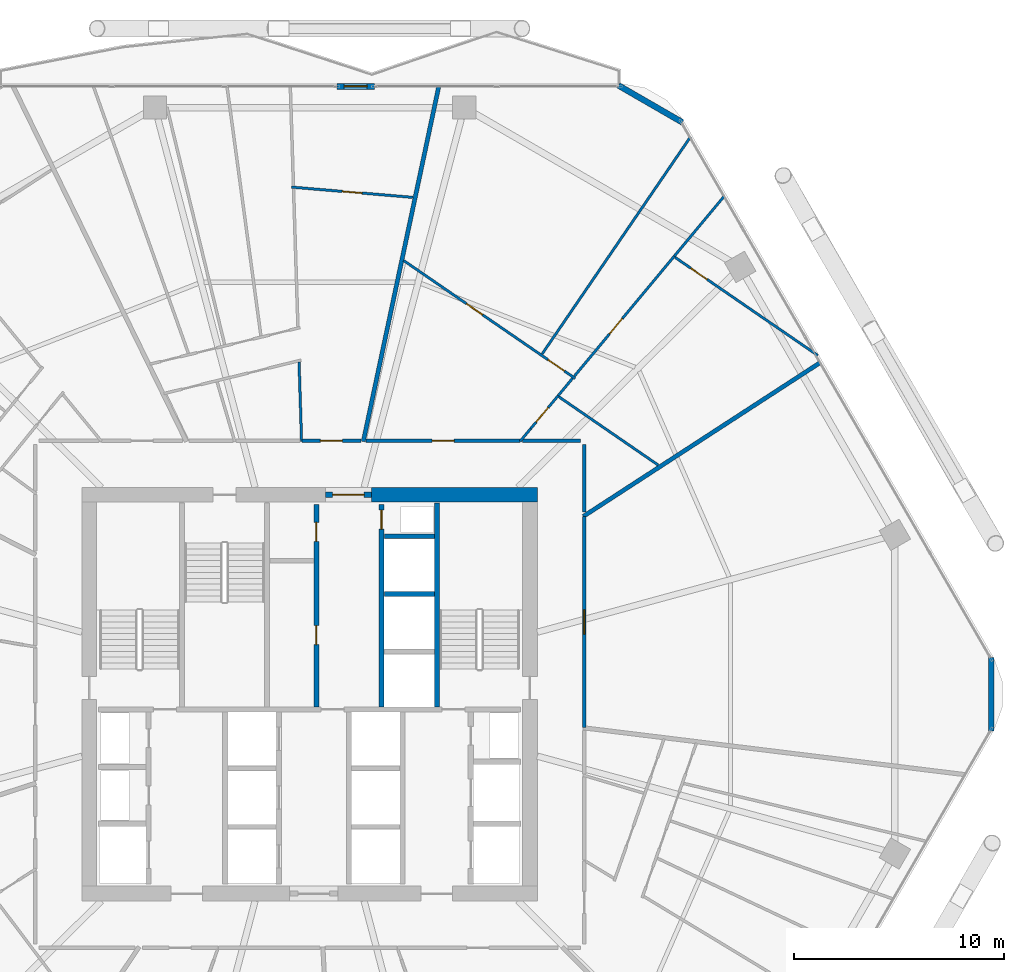
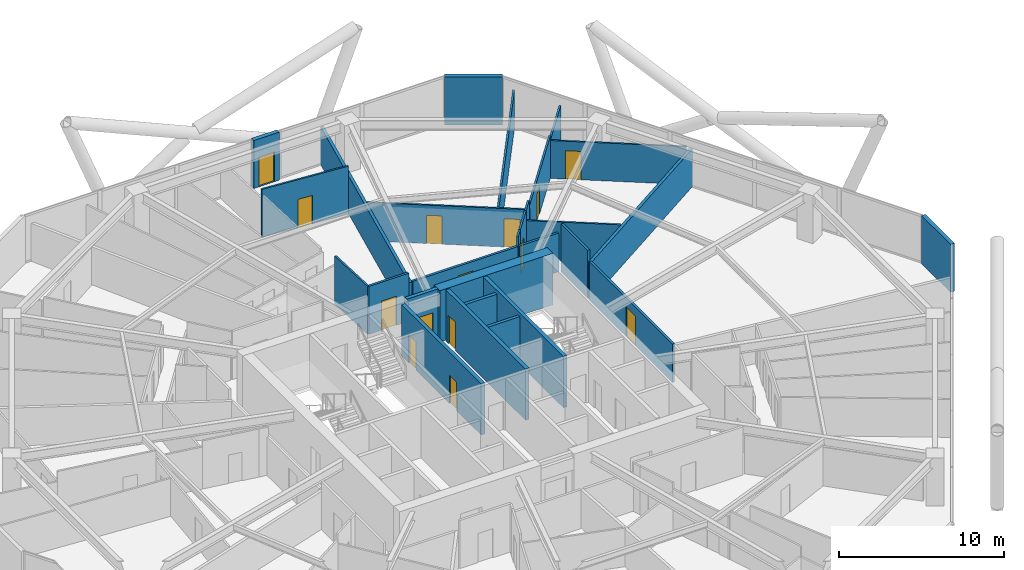
# One storey, part 31 of 35: 28 walls, 14 doors, 14 openings.
"""IFC4 building model written with IfcOpenShell, lengths in metres."""

from ifc_helpers import new_model, si_unit, direction, frame, frame_2d, origin, place, context, subcontext, project, spatial, rectangle, extrude, material, layer, layer_set, type_object, element, fill, save


model = new_model("IFC4")

# Units and contexts
model_context = context("Model", 3, precision=1e-05, world=origin(), true_north=direction((0.0, 1.0)))
body_context = subcontext(model_context, "Body", "Model", "MODEL_VIEW")
ifc_project = project(units=[si_unit("LENGTHUNIT", "METRE"), si_unit("AREAUNIT", "SQUARE_METRE"), si_unit("VOLUMEUNIT", "CUBIC_METRE"), si_unit("PLANEANGLEUNIT", "RADIAN"), si_unit("MASSUNIT", "GRAM", prefix="KILO")], contexts=[model_context])

# Site, building, storey
site_placement = place(None, origin())
site = spatial("IfcSite", under=ifc_project, at=site_placement, CompositionType="ELEMENT")
building_placement = place(site_placement, origin())
building = spatial("IfcBuilding", under=site, at=building_placement, Name="Zuhravey Tower", CompositionType="ELEMENT")
storey_placement = place(building_placement, frame((0.0, 0.0, 115.199951171875)))
storey = spatial("IfcBuildingStorey", under=building, at=storey_placement, Name="L28", CompositionType="ELEMENT", Elevation=115.199951171875)

# Wall
ifc_material_1 = material(Name="Concrete C60/75", Category="concrete")
ifc_layer_1 = layer(ifc_material_1, 0.699951171875)
ifc_layer_set_1 = layer_set([ifc_layer_1], Name="Concrete C60/75")
wall_type_1 = type_object("IfcWallType", Name="Core Shear Wall 700", PredefinedType="SHEAR", material=ifc_layer_set_1)
wall_1_placement = place(storey_placement, frame((46.85009765625, 41.5, 0.0), z_axis=(0.0, 0.0, 1.0), x_axis=(-1.0, 0.0, 0.0)))
element("IfcWall", 1, at=wall_1_placement, inside=storey, type_object=wall_type_1, Name="L28 North-East Core Shear Wall CW70", PredefinedType="SHEAR", context=body_context, shape_type="SweptSolid", body=[
    extrude(rectangle(XDim=7.900146484375, YDim=0.699951171875, at=frame_2d((3.9501953125, 0.0))), origin(), (0.0, 0.0, 1.0), 3.800048828125),
])

# Wall, opening, door
ifc_material_2 = material(Name="Gypsum fire-rated stud partition")
ifc_layer_2 = layer(ifc_material_2, 0.159912109375)
ifc_layer_set_2 = layer_set([ifc_layer_2], Name="Gypsum fire-rated stud partition")
wall_type_2 = type_object("IfcWallType", Name="Corridor Fire Partition 160", PredefinedType="PARTITIONING", material=ifc_layer_set_2)
wall_2_placement = place(storey_placement, frame((46.031494140625, 44.080078125, 0.0), z_axis=(0.0, 0.0, 1.0), x_axis=(-1.0, 0.0, 0.0)))
wall_2 = element("IfcWall", 2, at=wall_2_placement, inside=storey, type_object=wall_type_2, Name="L28 IW16 Partition 024", PredefinedType="PARTITIONING", context=body_context, shape_type="SweptSolid", body=[
    extrude(rectangle(XDim=7.3330078125, YDim=0.159912109375, at=frame_2d((3.66650390625, 0.0))), origin(), (0.0, 0.0, 1.0), 2.85009765625),
])
opening_1_placement = place(wall_2_placement, frame((3.1416015625, 0.0, 0.0)))
opening_1 = element("IfcOpeningElement", 3, at=opening_1_placement, cuts=wall_2, Name="Opening APD1", PredefinedType="OPENING", context=body_context, shape_type="SweptSolid", body=[
    extrude(rectangle(XDim=1.050048828125, YDim=2.14990234375, at=frame_2d((0.52490234375, 1.074951171875))), frame((0.0, 0.092041015625, 0.0), z_axis=(0.0, -1.0, 0.0), x_axis=(1.0, 0.0, 0.0)), (0.0, 0.0, 1.0), 0.183837890625),
])
ifc_material_3 = material(Name="Solid-core oak fire-rated leaf")
door_type_1 = type_object("IfcDoorType", Name="Apartment Entrance Fire Door 1050x2150", OperationType="NOTDEFINED", PredefinedType="DOOR", material=ifc_material_3)
door_1_placement = place(opening_1_placement, frame((1.050048828125, 0.0, 0.0), z_axis=(0.0, 0.0, 1.0), x_axis=(-1.0, 0.0, 0.0)))
door_1 = element("IfcDoor", 4, at=door_1_placement, inside=storey, type_object=door_type_1, Name="L28 Door 024.1", OperationType="SINGLE_SWING_LEFT", OverallHeight=2.14990234375, OverallWidth=1.050048828125, PredefinedType="DOOR", context=body_context, shape_type="SweptSolid", body=[
    extrude(rectangle(XDim=1.050048828125, YDim=2.14990234375, at=frame_2d((0.52490234375, 1.074951171875))), frame((0.0, 0.02490234375, 0.0), z_axis=(0.0, -1.0, 0.0), x_axis=(1.0, 0.0, 0.0)), (0.0, 0.0, 1.0), 0.050048828125),
])
fill(opening_1, door_1)

wall_3_placement = place(storey_placement, frame((38.437255859375, 44.080078125, 0.0), z_axis=(0.0, 0.0, 1.0), x_axis=(-1.0, 0.0, 0.0)))
wall_3 = element("IfcWall", 5, at=wall_3_placement, inside=storey, type_object=wall_type_2, Name="L28 IW16 Partition 028", PredefinedType="PARTITIONING", context=body_context, shape_type="SweptSolid", body=[
    extrude(rectangle(XDim=2.801025390625, YDim=0.159912109375, at=frame_2d((1.400390625, 0.0))), origin(), (0.0, 0.0, 1.0), 3.550048828125),
])
opening_2_placement = place(wall_3_placement, frame((0.87548828125, 0.0, 0.0)))
opening_2 = element("IfcOpeningElement", 6, at=opening_2_placement, cuts=wall_3, Name="Opening APD1", PredefinedType="OPENING", context=body_context, shape_type="SweptSolid", body=[
    extrude(rectangle(XDim=1.050048828125, YDim=2.14990234375, at=frame_2d((0.52490234375, 1.074951171875))), frame((0.0, 0.092041015625, 0.0), z_axis=(0.0, -1.0, 0.0), x_axis=(1.0, 0.0, 0.0)), (0.0, 0.0, 1.0), 0.183837890625),
])
door_2_placement = place(opening_2_placement, frame((1.050048828125, 0.0, 0.0), z_axis=(0.0, 0.0, 1.0), x_axis=(-1.0, 0.0, 0.0)))
door_2 = element("IfcDoor", 7, at=door_2_placement, inside=storey, type_object=door_type_1, Name="L28 Door 028.1", OperationType="SINGLE_SWING_LEFT", OverallHeight=2.14990234375, OverallWidth=1.050048828125, PredefinedType="DOOR", context=body_context, shape_type="SweptSolid", body=[
    extrude(rectangle(XDim=1.050048828125, YDim=2.14990234375, at=frame_2d((0.52490234375, 1.074951171875))), frame((0.0, 0.02490234375, 0.0), z_axis=(0.0, -1.0, 0.0), x_axis=(1.0, 0.0, 0.0)), (0.0, 0.0, 1.0), 0.050048828125),
])
fill(opening_2, door_2)

wall_4_placement = place(storey_placement, frame((49.080078125, 30.4140625, 0.0), z_axis=(0.0, 0.0, 1.0), x_axis=(0.0, 1.0, 0.0)))
wall_4 = element("IfcWall", 8, at=wall_4_placement, inside=storey, type_object=wall_type_2, Name="L28 IW16 Partition 058", PredefinedType="PARTITIONING", context=body_context, shape_type="SweptSolid", body=[
    extrude(rectangle(XDim=10.056396484375, YDim=0.159912109375, at=frame_2d((5.0283203125, 0.0))), origin(), (0.0, 0.0, 1.0), 2.85009765625),
])
opening_3_placement = place(wall_4_placement, frame((4.453125, 0.0, 0.0)))
opening_3 = element("IfcOpeningElement", 9, at=opening_3_placement, cuts=wall_4, Name="Opening CLD1", PredefinedType="OPENING", context=body_context, shape_type="SweptSolid", body=[
    extrude(rectangle(XDim=1.14990234375, YDim=2.199951171875, at=frame_2d((0.574951171875, 1.10009765625))), frame((0.0, 0.092041015625, 0.0), z_axis=(0.0, -1.0, 0.0), x_axis=(1.0, 0.0, 0.0)), (0.0, 0.0, 1.0), 0.183837890625),
])
ifc_material_4 = material(Name="Acoustic timber leaf with vision lite", Category="wood")
door_type_2 = type_object("IfcDoorType", Name="Classroom Acoustic Door 1150x2200", OperationType="NOTDEFINED", PredefinedType="DOOR", material=ifc_material_4)
door_3_placement = place(opening_3_placement, frame((1.14990234375, 0.0, 0.0), z_axis=(0.0, 0.0, 1.0), x_axis=(-1.0, 0.0, 0.0)))
door_3 = element("IfcDoor", 10, at=door_3_placement, inside=storey, type_object=door_type_2, Name="L28 Door 058.1", OperationType="SINGLE_SWING_RIGHT", OverallHeight=2.199951171875, OverallWidth=1.14990234375, PredefinedType="DOOR", context=body_context, shape_type="SweptSolid", body=[
    extrude(rectangle(XDim=1.14990234375, YDim=2.199951171875, at=frame_2d((0.574951171875, 1.10009765625))), frame((0.0, 0.02490234375, 0.0), z_axis=(0.0, -1.0, 0.0), x_axis=(1.0, 0.0, 0.0)), (0.0, 0.0, 1.0), 0.050048828125),
])
fill(opening_3, door_3)

# Walls
wall_5_placement = place(storey_placement, frame((49.080078125, 40.681396484375, 0.0), z_axis=(0.0, 0.0, 1.0), x_axis=(0.0, 1.0, 0.0)))
element("IfcWall", 11, at=wall_5_placement, inside=storey, type_object=wall_type_2, Name="L28 IW16 Partition 114", PredefinedType="PARTITIONING", context=body_context, shape_type="SweptSolid", body=[
    extrude(rectangle(XDim=3.218505859375, YDim=0.159912109375, at=frame_2d((1.609375, 0.0))), origin(), (0.0, 0.0, 1.0), 3.550048828125),
])
wall_6_placement = place(storey_placement, frame((48.89990234375, 44.080078125, 0.0), z_axis=(0.0, 0.0, 1.0), x_axis=(-1.0, 0.0, 0.0)))
element("IfcWall", 12, at=wall_6_placement, inside=storey, type_object=wall_type_2, Name="L28 IW16 Partition 115", PredefinedType="PARTITIONING", context=body_context, shape_type="SweptSolid", body=[
    extrude(rectangle(XDim=2.75390625, YDim=0.159912109375, at=frame_2d((1.376953125, 0.0))), origin(), (0.0, 0.0, 1.0), 2.85009765625),
])

# Wall, opening, door
ifc_material_5 = material(Name="Precast concrete C40/50", Category="concrete")
ifc_layer_3 = layer(ifc_material_5, 0.280029296875)
ifc_layer_set_3 = layer_set([ifc_layer_3], Name="Precast concrete C40/50")
wall_type_3 = type_object("IfcWallType", Name="Crown Architectural Wall 280", PredefinedType="SOLIDWALL", material=ifc_layer_set_3)
wall_7_placement = place(storey_placement, frame((37.299072265625, 60.95849609375, 0.0), z_axis=(0.0, 0.0, 1.0), x_axis=(1.0, 0.0, 0.0)))
wall_7 = element("IfcWall", 13, at=wall_7_placement, inside=storey, type_object=wall_type_3, Name="L28 Face 2 Facade Pier EW28-1", PredefinedType="SOLIDWALL", context=body_context, shape_type="SweptSolid", body=[
    extrude(rectangle(XDim=1.7900390625, YDim=0.280029296875, at=frame_2d((0.89501953125, 0.0))), origin(), (0.0, 0.0, 1.0), 3.550048828125),
])
opening_4_placement = place(wall_7_placement, frame((0.344970703125, 0.0, 0.0)))
opening_4 = element("IfcOpeningElement", 14, at=opening_4_placement, cuts=wall_7, Name="Opening BLD1", PredefinedType="OPENING", context=body_context, shape_type="SweptSolid", body=[
    extrude(rectangle(XDim=1.10009765625, YDim=2.199951171875, at=frame_2d((0.550048828125, 1.10009765625))), frame((0.0, 0.152099609375, 0.0), z_axis=(0.0, -1.0, 0.0), x_axis=(1.0, 0.0, 0.0)), (0.0, 0.0, 1.0), 0.303955078125),
])
ifc_material_6 = material(Name="Thermally broken aluminium and low-E glass", Category="aluminium")
door_type_3 = type_object("IfcDoorType", Name="Balcony & Sky-Tray Glazed Door 1100x2200", OperationType="NOTDEFINED", PredefinedType="DOOR", material=ifc_material_6)
door_4_placement = place(opening_4_placement, frame((1.10009765625, 0.0, 0.0), z_axis=(0.0, 0.0, 1.0), x_axis=(-1.0, 0.0, 0.0)))
door_4 = element("IfcDoor", 15, at=door_4_placement, inside=storey, type_object=door_type_3, Name="L28 Face 2 Wave Balcony Door", OperationType="SINGLE_SWING_RIGHT", OverallHeight=2.199951171875, OverallWidth=1.10009765625, PredefinedType="DOOR", context=body_context, shape_type="SweptSolid", body=[
    extrude(rectangle(XDim=1.10009765625, YDim=2.199951171875, at=frame_2d((0.550048828125, 1.10009765625))), frame((0.0, 0.02490234375, 0.0), z_axis=(0.0, -1.0, 0.0), x_axis=(1.0, 0.0, 0.0)), (0.0, 0.0, 1.0), 0.050048828125),
])
fill(opening_4, door_4)

# Walls
wall_8_placement = place(storey_placement, frame((50.71728515625, 61.006103515625, 0.0), z_axis=(0.0, 0.0, 1.0), x_axis=(0.866007452331, -0.500031091541, 0.0)))
element("IfcWall", 16, at=wall_8_placement, inside=storey, type_object=wall_type_3, Name="L28 Rounded Corner Closure Wall EW28-10", PredefinedType="SOLIDWALL", context=body_context, shape_type="SweptSolid", body=[
    extrude(rectangle(XDim=3.514892578125, YDim=0.280029296875, at=frame_2d((1.75732421875, 0.0))), origin(), (0.0, 0.0, 1.0), 3.550048828125),
])
wall_9_placement = place(storey_placement, frame((68.478515625, 33.757568359375, 0.0), z_axis=(0.0, 0.0, 1.0), x_axis=(0.0, -1.0, 0.0)))
element("IfcWall", 17, at=wall_9_placement, inside=storey, type_object=wall_type_3, Name="L28 Rounded Corner Closure Wall EW28-12", PredefinedType="SOLIDWALL", context=body_context, shape_type="SweptSolid", body=[
    extrude(rectangle(XDim=3.51513671875, YDim=0.280029296875, at=frame_2d((1.757568359375, 0.0))), origin(), (0.0, 0.0, 1.0), 3.550048828125),
])

# Wall, opening, door
ifc_material_7 = material(Name="Concrete C50/60", Category="concrete")
ifc_layer_4 = layer(ifc_material_7, 0.25)
ifc_layer_set_4 = layer_set([ifc_layer_4], Name="Concrete C50/60")
wall_type_4 = type_object("IfcWallType", Name="Firefighting Shaft & Stair Wall 250", PredefinedType="SOLIDWALL", material=ifc_layer_set_4)
wall_10_placement = place(storey_placement, frame((36.760009765625, 41.5, 0.0), z_axis=(0.0, 0.0, 1.0), x_axis=(1.0, 0.0, 0.0)))
wall_10 = element("IfcWall", 18, at=wall_10_placement, inside=storey, type_object=wall_type_4, Name="L28 FW25 Shaft Wall 002", PredefinedType="SOLIDWALL", context=body_context, shape_type="SweptSolid", body=[
    extrude(rectangle(XDim=2.179931640625, YDim=0.25, at=frame_2d((1.08984375, 0.0))), origin(), (0.0, 0.0, 1.0), 3.800048828125),
])
opening_5_placement = place(wall_10_placement, frame((0.340087890625, 0.0, 0.0)))
opening_5 = element("IfcOpeningElement", 19, at=opening_5_placement, cuts=wall_10, Name="Opening FFD1", PredefinedType="OPENING", context=body_context, shape_type="SweptSolid", body=[
    extrude(rectangle(XDim=1.5, YDim=2.14990234375, at=frame_2d((0.75, 1.074951171875))), frame((0.0, 0.136962890625, 0.0), z_axis=(0.0, -1.0, 0.0), x_axis=(1.0, 0.0, 0.0)), (0.0, 0.0, 1.0), 0.27392578125),
])
ifc_material_8 = material(Name="Galvanised fire-rated steel leaf", Category="steel")
door_type_4 = type_object("IfcDoorType", Name="Firefighting Lobby Double Door 1500x2150", OperationType="DOUBLE_DOOR_SINGLE_SWING", PredefinedType="DOOR", material=ifc_material_8)
door_5_placement = place(opening_5_placement, origin())
door_5 = element("IfcDoor", 20, at=door_5_placement, inside=storey, type_object=door_type_4, Name="L28 North Lift Lobby Exit Door", OperationType="DOUBLE_DOOR_SINGLE_SWING", OverallHeight=2.14990234375, OverallWidth=1.5, PredefinedType="DOOR", context=body_context, shape_type="SweptSolid", body=[
    extrude(rectangle(XDim=1.5, YDim=2.14990234375, at=frame_2d((0.75, 1.074951171875))), frame((0.0, 0.02490234375, 0.0), z_axis=(0.0, -1.0, 0.0), x_axis=(1.0, 0.0, 0.0)), (0.0, 0.0, 1.0), 0.050048828125),
])
fill(opening_5, door_5)

# Wall
wall_11_placement = place(storey_placement, frame((42.074951171875, 31.39990234375, 0.0), z_axis=(0.0, 0.0, 1.0), x_axis=(0.0, 1.0, 0.0)))
element("IfcWall", 21, at=wall_11_placement, inside=storey, type_object=wall_type_4, Name="L28 FW25 Shaft Wall 006", PredefinedType="SOLIDWALL", context=body_context, shape_type="SweptSolid", body=[
    extrude(rectangle(XDim=9.7001953125, YDim=0.25, at=frame_2d((4.85009765625, 0.0))), origin(), (0.0, 0.0, 1.0), 3.800048828125),
])

# Wall, openings, doors
wall_12_placement = place(storey_placement, frame((36.324951171875, 31.39990234375, 0.0), z_axis=(0.0, 0.0, 1.0), x_axis=(0.0, 1.0, 0.0)))
wall_12 = element("IfcWall", 22, at=wall_12_placement, inside=storey, type_object=wall_type_4, Name="L28 FW25 Shaft Wall 007", PredefinedType="SOLIDWALL", context=body_context, shape_type="SweptSolid", body=[
    extrude(rectangle(XDim=9.650146484375, YDim=0.25, at=frame_2d((4.8251953125, 0.0))), origin(), (0.0, 0.0, 1.0), 3.800048828125),
])
opening_6_placement = place(wall_12_placement, frame((2.965087890625, 0.0, 0.0)))
opening_6 = element("IfcOpeningElement", 23, at=opening_6_placement, cuts=wall_12, Name="Opening RSD1", PredefinedType="OPENING", context=body_context, shape_type="SweptSolid", body=[
    extrude(rectangle(XDim=0.89990234375, YDim=2.10009765625, at=frame_2d((0.449951171875, 1.050048828125))), frame((0.0, 0.136962890625, 0.0), z_axis=(0.0, -1.0, 0.0), x_axis=(1.0, 0.0, 0.0)), (0.0, 0.0, 1.0), 0.27392578125),
])
opening_7_placement = place(wall_12_placement, frame((7.885009765625, 0.0, 0.0)))
opening_7 = element("IfcOpeningElement", 24, at=opening_7_placement, cuts=wall_12, Name="Opening RSD1", PredefinedType="OPENING", context=body_context, shape_type="SweptSolid", body=[
    extrude(rectangle(XDim=0.89990234375, YDim=2.10009765625, at=frame_2d((0.449951171875, 1.050048828125))), frame((0.0, 0.136962890625, 0.0), z_axis=(0.0, -1.0, 0.0), x_axis=(1.0, 0.0, 0.0)), (0.0, 0.0, 1.0), 0.27392578125),
])
ifc_material_9 = material(Name="Galvanised fire-rated steel access leaf", Category="steel")
door_type_5 = type_object("IfcDoorType", Name="Riser & Shaft Access Fire Door 900x2100", OperationType="NOTDEFINED", PredefinedType="DOOR", material=ifc_material_9)
door_6_placement = place(opening_6_placement, origin())
door_6 = element("IfcDoor", 25, at=door_6_placement, inside=storey, type_object=door_type_5, Name="L28 Equipment and Refuse Store Door", OperationType="SINGLE_SWING_RIGHT", OverallHeight=2.10009765625, OverallWidth=0.89990234375, PredefinedType="DOOR", context=body_context, shape_type="SweptSolid", body=[
    extrude(rectangle(XDim=0.89990234375, YDim=2.10009765625, at=frame_2d((0.449951171875, 1.050048828125))), frame((0.0, 0.02490234375, 0.0), z_axis=(0.0, -1.0, 0.0), x_axis=(1.0, 0.0, 0.0)), (0.0, 0.0, 1.0), 0.050048828125),
])
fill(opening_6, door_6)
door_7_placement = place(opening_7_placement, origin())
door_7 = element("IfcDoor", 26, at=door_7_placement, inside=storey, type_object=door_type_5, Name="L28 BMS Control Room Door", OperationType="SINGLE_SWING_LEFT", OverallHeight=2.10009765625, OverallWidth=0.89990234375, PredefinedType="DOOR", context=body_context, shape_type="SweptSolid", body=[
    extrude(rectangle(XDim=0.89990234375, YDim=2.10009765625, at=frame_2d((0.449951171875, 1.050048828125))), frame((0.0, 0.02490234375, 0.0), z_axis=(0.0, -1.0, 0.0), x_axis=(1.0, 0.0, 0.0)), (0.0, 0.0, 1.0), 0.050048828125),
])
fill(opening_7, door_7)

# Wall, opening, door
wall_13_placement = place(storey_placement, frame((39.425048828125, 31.39990234375, 0.0), z_axis=(0.0, 0.0, 1.0), x_axis=(0.0, 1.0, 0.0)))
wall_13 = element("IfcWall", 27, at=wall_13_placement, inside=storey, type_object=wall_type_4, Name="L28 FW25 Shaft Wall 008", PredefinedType="SOLIDWALL", context=body_context, shape_type="SweptSolid", body=[
    extrude(rectangle(XDim=9.650146484375, YDim=0.25, at=frame_2d((4.8251953125, 0.0))), origin(), (0.0, 0.0, 1.0), 3.800048828125),
])
opening_8_placement = place(wall_13_placement, frame((8.469970703125, 0.0, 0.0)))
opening_8 = element("IfcOpeningElement", 28, at=opening_8_placement, cuts=wall_13, Name="Opening RSD1", PredefinedType="OPENING", context=body_context, shape_type="SweptSolid", body=[
    extrude(rectangle(XDim=0.89990234375, YDim=2.10009765625, at=frame_2d((0.449951171875, 1.050048828125))), frame((0.0, 0.136962890625, 0.0), z_axis=(0.0, -1.0, 0.0), x_axis=(1.0, 0.0, 0.0)), (0.0, 0.0, 1.0), 0.27392578125),
])
door_8_placement = place(opening_8_placement, origin())
door_8 = element("IfcDoor", 29, at=door_8_placement, inside=storey, type_object=door_type_5, Name="L28 North Riser Door", OperationType="SINGLE_SWING_RIGHT", OverallHeight=2.10009765625, OverallWidth=0.89990234375, PredefinedType="DOOR", context=body_context, shape_type="SweptSolid", body=[
    extrude(rectangle(XDim=0.89990234375, YDim=2.10009765625, at=frame_2d((0.449951171875, 1.050048828125))), frame((0.0, 0.02490234375, 0.0), z_axis=(0.0, -1.0, 0.0), x_axis=(1.0, 0.0, 0.0)), (0.0, 0.0, 1.0), 0.050048828125),
])
fill(opening_8, door_8)

# Walls
ifc_material_10 = material(Name="Gypsum double-stud party assembly")
ifc_layer_5 = layer(ifc_material_10, 0.199951171875)
ifc_layer_set_5 = layer_set([ifc_layer_5], Name="Gypsum double-stud party assembly")
wall_type_5 = type_object("IfcWallType", Name="Inter-Tenancy Party Wall 200", PredefinedType="PARTITIONING", material=ifc_layer_set_5)
wall_14_placement = place(storey_placement, frame((49.043212890625, 40.470458984375, 0.0), z_axis=(0.0, 0.0, 1.0), x_axis=(0.8386663159, 0.544645582535, 0.0)))
element("IfcWall", 30, at=wall_14_placement, inside=storey, type_object=wall_type_5, Name="L28 IW20 Partition 067", PredefinedType="PARTITIONING", context=body_context, shape_type="SweptSolid", body=[
    extrude(rectangle(XDim=13.44580078125, YDim=0.199951171875, at=frame_2d((6.722900390625, 0.0))), origin(), (0.0, 0.0, 1.0), 2.800048828125),
])
wall_15_placement = place(storey_placement, frame((38.55908203125, 44.0400390625, 0.0), z_axis=(0.0, 0.0, 1.0), x_axis=(0.207915139831, 0.978146867617, 0.0)))
element("IfcWall", 31, at=wall_15_placement, inside=storey, type_object=wall_type_5, Name="L28 IW20 Partition 072", PredefinedType="PARTITIONING", context=body_context, shape_type="SweptSolid", body=[
    extrude(rectangle(XDim=17.29638671875, YDim=0.199951171875, at=frame_2d((8.648193359375, 0.0))), origin(), (0.0, 0.0, 1.0), 2.800048828125),
])
ifc_material_11 = material(Name="Gypsum acoustic stud assembly")
ifc_layer_6 = layer(ifc_material_11, 0.219970703125)
ifc_layer_set_6 = layer_set([ifc_layer_6], Name="Gypsum acoustic stud assembly")
wall_type_6 = type_object("IfcWallType", Name="School Acoustic Compartment Wall 220", PredefinedType="PARTITIONING", material=ifc_layer_set_6)
for number, where, z_axis, x_axis, name in (
    (32, (39.55810546875, 36.77490234375, 0.0), (0.0, 0.0, 1.0), (1.0, 0.0, 0.0), "L28 IW22 Partition 061"),
    (33, (39.55810546875, 39.52490234375, 0.0), (0.0, 0.0, 1.0), (1.0, 0.0, 0.0), "L28 IW22 Partition 062"),
):
    element("IfcWall", number, at=place(storey_placement, frame(where, z_axis=z_axis, x_axis=x_axis)), inside=storey, type_object=wall_type_6, Name=name, PredefinedType="PARTITIONING", context=body_context, shape_type="SweptSolid", body=[
        extrude(rectangle(XDim=2.3837890625, YDim=0.219970703125, at=frame_2d((1.19189453125, 0.0))), origin(), (0.0, 0.0, 1.0), 3.550048828125),
    ])

# Wall, openings, doors
ifc_material_12 = material(Name="Gypsum metal-stud partition")
ifc_layer_7 = layer(ifc_material_12, 0.1201171875)
ifc_layer_set_7 = layer_set([ifc_layer_7], Name="Gypsum metal-stud partition")
wall_type_7 = type_object("IfcWallType", Name="Unit Internal Partition 120", PredefinedType="PARTITIONING", material=ifc_layer_set_7)
wall_16_placement = place(storey_placement, frame((48.656005859375, 47.044677734375, 0.0), z_axis=(0.0, 0.0, 1.0), x_axis=(-0.824135244069, 0.566393060943, 0.0)))
wall_16 = element("IfcWall", 34, at=wall_16_placement, inside=storey, type_object=wall_type_7, Name="L28 IW12 Partition 019", PredefinedType="PARTITIONING", context=body_context, shape_type="SweptSolid", body=[
    extrude(rectangle(XDim=9.922119140625, YDim=0.1201171875, at=frame_2d((4.9609375, 0.0))), origin(), (0.0, 0.0, 1.0), 2.85009765625),
])
opening_9_placement = place(wall_16_placement, frame((0.62451171875, 0.0, 0.0)))
opening_9 = element("IfcOpeningElement", 35, at=opening_9_placement, cuts=wall_16, Name="Opening IND1", PredefinedType="OPENING", context=body_context, shape_type="SweptSolid", body=[
    extrude(rectangle(XDim=0.949951171875, YDim=2.10009765625, at=frame_2d((0.47509765625, 1.050048828125))), frame((0.0, 0.072021484375, 0.0), z_axis=(0.0, -1.0, 0.0), x_axis=(1.0, 0.0, 0.0)), (0.0, 0.0, 1.0), 0.14404296875),
])
opening_10_placement = place(wall_16_placement, frame((5.345703125, 0.0, 0.0)))
opening_10 = element("IfcOpeningElement", 36, at=opening_10_placement, cuts=wall_16, Name="Opening IND1", PredefinedType="OPENING", context=body_context, shape_type="SweptSolid", body=[
    extrude(rectangle(XDim=0.949951171875, YDim=2.10009765625, at=frame_2d((0.47509765625, 1.050048828125))), frame((0.0, 0.072021484375, 0.0), z_axis=(0.0, -1.0, 0.0), x_axis=(1.0, 0.0, 0.0)), (0.0, 0.0, 1.0), 0.14404296875),
])
ifc_material_13 = material(Name="Painted engineered timber leaf", Category="wood")
door_type_6 = type_object("IfcDoorType", Name="Internal Room & Bedroom Door 950x2100", OperationType="NOTDEFINED", PredefinedType="DOOR", material=ifc_material_13)
door_9_placement = place(opening_9_placement, frame((0.949951171875, 0.0, 0.0), z_axis=(0.0, 0.0, 1.0), x_axis=(-1.0, 0.0, 0.0)))
door_9 = element("IfcDoor", 37, at=door_9_placement, inside=storey, type_object=door_type_6, Name="Apartment L28-01 Family Study Door", OperationType="SINGLE_SWING_RIGHT", OverallHeight=2.10009765625, OverallWidth=0.949951171875, PredefinedType="DOOR", context=body_context, shape_type="SweptSolid", body=[
    extrude(rectangle(XDim=0.949951171875, YDim=2.10009765625, at=frame_2d((0.47509765625, 1.050048828125))), frame((0.0, 0.02490234375, 0.0), z_axis=(0.0, -1.0, 0.0), x_axis=(1.0, 0.0, 0.0)), (0.0, 0.0, 1.0), 0.050048828125),
])
fill(opening_9, door_9)
door_10_placement = place(opening_10_placement, frame((0.949951171875, 0.0, 0.0), z_axis=(0.0, 0.0, 1.0), x_axis=(-1.0, 0.0, 0.0)))
door_10 = element("IfcDoor", 38, at=door_10_placement, inside=storey, type_object=door_type_6, Name="Apartment L28-01 Dining Room Door", OperationType="SINGLE_SWING_LEFT", OverallHeight=2.10009765625, OverallWidth=0.949951171875, PredefinedType="DOOR", context=body_context, shape_type="SweptSolid", body=[
    extrude(rectangle(XDim=0.949951171875, YDim=2.10009765625, at=frame_2d((0.47509765625, 1.050048828125))), frame((0.0, 0.02490234375, 0.0), z_axis=(0.0, -1.0, 0.0), x_axis=(1.0, 0.0, 0.0)), (0.0, 0.0, 1.0), 0.050048828125),
])
fill(opening_10, door_10)

# Wall, opening, door
wall_17_placement = place(storey_placement, frame((46.531982421875, 44.64990234375, 0.0), z_axis=(0.0, 0.0, 1.0), x_axis=(0.639844525029, 0.768504381114, 0.0)))
wall_17 = element("IfcWall", 39, at=wall_17_placement, inside=storey, type_object=wall_type_7, Name="L28 IW12 Partition 020", PredefinedType="PARTITIONING", context=body_context, shape_type="SweptSolid", body=[
    extrude(rectangle(XDim=2.04931640625, YDim=0.1201171875, at=frame_2d((1.024658203125, 0.0))), origin(), (0.0, 0.0, 1.0), 3.550048828125),
])
opening_11_placement = place(wall_17_placement, frame((0.41064453125, 0.0, 0.0)))
opening_11 = element("IfcOpeningElement", 40, at=opening_11_placement, cuts=wall_17, Name="Opening WCD1", PredefinedType="OPENING", context=body_context, shape_type="SweptSolid", body=[
    extrude(rectangle(XDim=0.89990234375, YDim=2.10009765625, at=frame_2d((0.449951171875, 1.050048828125))), frame((0.0, 0.072021484375, 0.0), z_axis=(0.0, -1.0, 0.0), x_axis=(1.0, 0.0, 0.0)), (0.0, 0.0, 1.0), 0.14404296875),
])
ifc_material_14 = material(Name="Moisture-resistant timber leaf", Category="wood")
door_type_7 = type_object("IfcDoorType", Name="Bathroom & WC Internal Door 900x2100", OperationType="NOTDEFINED", PredefinedType="DOOR", material=ifc_material_14)
door_11_placement = place(opening_11_placement, frame((0.89990234375, 0.0, 0.0), z_axis=(0.0, 0.0, 1.0), x_axis=(-1.0, 0.0, 0.0)))
door_11 = element("IfcDoor", 41, at=door_11_placement, inside=storey, type_object=door_type_7, Name="Apartment L28-01 Bathroom Door", OperationType="SINGLE_SWING_RIGHT", OverallHeight=2.10009765625, OverallWidth=0.89990234375, PredefinedType="DOOR", context=body_context, shape_type="SweptSolid", body=[
    extrude(rectangle(XDim=0.89990234375, YDim=2.10009765625, at=frame_2d((0.449951171875, 1.050048828125))), frame((0.0, 0.02490234375, 0.0), z_axis=(0.0, -1.0, 0.0), x_axis=(1.0, 0.0, 0.0)), (0.0, 0.0, 1.0), 0.050048828125),
])
fill(opening_11, door_11)

# Wall
wall_18_placement = place(storey_placement, frame((47.84326171875, 46.224853515625, 0.0), z_axis=(0.0, 0.0, 1.0), x_axis=(0.639870887219, 0.768482431608, 0.0)))
element("IfcWall", 42, at=wall_18_placement, inside=storey, type_object=wall_type_7, Name="L28 IW12 Partition 021", PredefinedType="PARTITIONING", context=body_context, shape_type="SweptSolid", body=[
    extrude(rectangle(XDim=1.072509765625, YDim=0.1201171875, at=frame_2d((0.5361328125, 0.0))), origin(), (0.0, 0.0, 1.0), 3.550048828125),
])

# Wall, opening, door
wall_19_placement = place(storey_placement, frame((48.616943359375, 47.15380859375, 0.0), z_axis=(0.0, 0.0, 1.0), x_axis=(0.639832473506, 0.768514414859, 0.0)))
wall_19 = element("IfcWall", 43, at=wall_19_placement, inside=storey, type_object=wall_type_7, Name="L28 IW12 Partition 022", PredefinedType="PARTITIONING", context=body_context, shape_type="SweptSolid", body=[
    extrude(rectangle(XDim=7.43896484375, YDim=0.1201171875, at=frame_2d((3.719482421875, 0.0))), origin(), (0.0, 0.0, 1.0), 3.10009765625),
])
opening_12_placement = place(wall_19_placement, frame((2.614990234375, 0.0, 0.0)))
opening_12 = element("IfcOpeningElement", 44, at=opening_12_placement, cuts=wall_19, Name="Opening IND1", PredefinedType="OPENING", context=body_context, shape_type="SweptSolid", body=[
    extrude(rectangle(XDim=0.949951171875, YDim=2.10009765625, at=frame_2d((0.47509765625, 1.050048828125))), frame((0.0, 0.072021484375, 0.0), z_axis=(0.0, -1.0, 0.0), x_axis=(1.0, 0.0, 0.0)), (0.0, 0.0, 1.0), 0.14404296875),
])
door_12_placement = place(opening_12_placement, frame((0.949951171875, 0.0, 0.0), z_axis=(0.0, 0.0, 1.0), x_axis=(-1.0, 0.0, 0.0)))
door_12 = element("IfcDoor", 45, at=door_12_placement, inside=storey, type_object=door_type_6, Name="Apartment L28-01 Home Office Door", OperationType="SINGLE_SWING_LEFT", OverallHeight=2.10009765625, OverallWidth=0.949951171875, PredefinedType="DOOR", context=body_context, shape_type="SweptSolid", body=[
    extrude(rectangle(XDim=0.949951171875, YDim=2.10009765625, at=frame_2d((0.47509765625, 1.050048828125))), frame((0.0, 0.02490234375, 0.0), z_axis=(0.0, -1.0, 0.0), x_axis=(1.0, 0.0, 0.0)), (0.0, 0.0, 1.0), 0.050048828125),
])
fill(opening_12, door_12)

wall_20_placement = place(storey_placement, frame((60.209716796875, 48.144287109375, 0.0), z_axis=(0.0, 0.0, 1.0), x_axis=(-0.824115377847, 0.566421966379, 0.0)))
wall_20 = element("IfcWall", 46, at=wall_20_placement, inside=storey, type_object=wall_type_7, Name="L28 IW12 Partition 023", PredefinedType="PARTITIONING", context=body_context, shape_type="SweptSolid", body=[
    extrude(rectangle(XDim=8.242431640625, YDim=0.1201171875, at=frame_2d((4.12109375, 0.0))), origin(), (0.0, 0.0, 1.0), 2.800048828125),
])
opening_13_placement = place(wall_20_placement, frame((6.39013671875, 0.0, 0.0)))
opening_13 = element("IfcOpeningElement", 47, at=opening_13_placement, cuts=wall_20, Name="Opening IND1", PredefinedType="OPENING", context=body_context, shape_type="SweptSolid", body=[
    extrude(rectangle(XDim=0.949951171875, YDim=2.10009765625, at=frame_2d((0.47509765625, 1.050048828125))), frame((0.0, 0.072021484375, 0.0), z_axis=(0.0, -1.0, 0.0), x_axis=(1.0, 0.0, 0.0)), (0.0, 0.0, 1.0), 0.14404296875),
])
door_13_placement = place(opening_13_placement, frame((0.949951171875, 0.0, 0.0), z_axis=(0.0, 0.0, 1.0), x_axis=(-1.0, 0.0, 0.0)))
door_13 = element("IfcDoor", 48, at=door_13_placement, inside=storey, type_object=door_type_6, Name="Apartment L28-01 Bedroom 1 Door", OperationType="SINGLE_SWING_RIGHT", OverallHeight=2.10009765625, OverallWidth=0.949951171875, PredefinedType="DOOR", context=body_context, shape_type="SweptSolid", body=[
    extrude(rectangle(XDim=0.949951171875, YDim=2.10009765625, at=frame_2d((0.47509765625, 1.050048828125))), frame((0.0, 0.02490234375, 0.0), z_axis=(0.0, -1.0, 0.0), x_axis=(1.0, 0.0, 0.0)), (0.0, 0.0, 1.0), 0.050048828125),
])
fill(opening_13, door_13)

wall_21_placement = place(storey_placement, frame((40.91845703125, 55.6728515625, 0.0), z_axis=(0.0, 0.0, 1.0), x_axis=(-0.996433818815, 0.084377987189, 0.0)))
wall_21 = element("IfcWall", 49, at=wall_21_placement, inside=storey, type_object=wall_type_7, Name="L28 IW12 Partition 025", PredefinedType="PARTITIONING", context=body_context, shape_type="SweptSolid", body=[
    extrude(rectangle(XDim=5.80712890625, YDim=0.1201171875, at=frame_2d((2.903564453125, 0.0))), origin(), (0.0, 0.0, 1.0), 3.550048828125),
])
opening_14_placement = place(wall_21_placement, frame((2.428466796875, 0.0, 0.0)))
opening_14 = element("IfcOpeningElement", 50, at=opening_14_placement, cuts=wall_21, Name="Opening IND1", PredefinedType="OPENING", context=body_context, shape_type="SweptSolid", body=[
    extrude(rectangle(XDim=0.949951171875, YDim=2.10009765625, at=frame_2d((0.47509765625, 1.050048828125))), frame((0.0, 0.072021484375, 0.0), z_axis=(0.0, -1.0, 0.0), x_axis=(1.0, 0.0, 0.0)), (0.0, 0.0, 1.0), 0.14404296875),
])
door_14_placement = place(opening_14_placement, frame((0.949951171875, 0.0, 0.0), z_axis=(0.0, 0.0, 1.0), x_axis=(-1.0, 0.0, 0.0)))
door_14 = element("IfcDoor", 51, at=door_14_placement, inside=storey, type_object=door_type_6, Name="Apartment L28-02 Family Study Door", OperationType="SINGLE_SWING_RIGHT", OverallHeight=2.10009765625, OverallWidth=0.949951171875, PredefinedType="DOOR", context=body_context, shape_type="SweptSolid", body=[
    extrude(rectangle(XDim=0.949951171875, YDim=2.10009765625, at=frame_2d((0.47509765625, 1.050048828125))), frame((0.0, 0.02490234375, 0.0), z_axis=(0.0, -1.0, 0.0), x_axis=(1.0, 0.0, 0.0)), (0.0, 0.0, 1.0), 0.050048828125),
])
fill(opening_14, door_14)

# Walls
wall_22_placement = place(storey_placement, frame((47.07958984375, 48.21044921875, 0.0), z_axis=(0.0, 0.0, 1.0), x_axis=(0.564282651773, 0.825581667013, 0.0)))
element("IfcWall", 52, at=wall_22_placement, inside=storey, type_object=wall_type_7, Name="L28 IW12 Partition 068", PredefinedType="PARTITIONING", context=body_context, shape_type="SweptSolid", body=[
    extrude(rectangle(XDim=12.52197265625, YDim=0.1201171875, at=frame_2d((6.260986328125, 0.0))), origin(), (0.0, 0.0, 1.0), 2.800048828125),
])
wall_23_placement = place(storey_placement, frame((46.031494140625, 44.048583984375, 0.0), z_axis=(0.0, 0.0, 1.0), x_axis=(0.639723867671, 0.768604822475, 0.0)))
element("IfcWall", 53, at=wall_23_placement, inside=storey, type_object=wall_type_7, Name="L28 IW12 Partition 069", PredefinedType="PARTITIONING", context=body_context, shape_type="SweptSolid", body=[
    extrude(rectangle(XDim=0.782470703125, YDim=0.1201171875, at=frame_2d((0.39111328125, 0.0))), origin(), (0.0, 0.0, 1.0), 3.550048828125),
])
wall_24_placement = place(storey_placement, frame((53.376708984375, 52.870849609375, 0.0), z_axis=(0.0, 0.0, 1.0), x_axis=(0.639815010382, 0.76852895358, 0.0)))
element("IfcWall", 54, at=wall_24_placement, inside=storey, type_object=wall_type_7, Name="L28 IW12 Partition 070", PredefinedType="PARTITIONING", context=body_context, shape_type="SweptSolid", body=[
    extrude(rectangle(XDim=3.706298828125, YDim=0.1201171875, at=frame_2d((1.85302734375, 0.0))), origin(), (0.0, 0.0, 1.0), 2.800048828125),
])
wall_25_placement = place(storey_placement, frame((52.612060546875, 42.916748046875, 0.0), z_axis=(0.0, 0.0, 1.0), x_axis=(-0.824125094008, 0.566407829595, 0.0)))
element("IfcWall", 55, at=wall_25_placement, inside=storey, type_object=wall_type_7, Name="L28 IW12 Partition 071", PredefinedType="PARTITIONING", context=body_context, shape_type="SweptSolid", body=[
    extrude(rectangle(XDim=5.73779296875, YDim=0.1201171875, at=frame_2d((2.868896484375, 0.0))), origin(), (0.0, 0.0, 1.0), 2.85009765625),
])
wall_26_placement = place(storey_placement, frame((35.61767578125, 44.030029296875, 0.0), z_axis=(0.0, 0.0, 1.0), x_axis=(-0.031741277153, 0.999496118714, 0.0)))
element("IfcWall", 56, at=wall_26_placement, inside=storey, type_object=wall_type_7, Name="L28 IW12 Partition 077", PredefinedType="PARTITIONING", context=body_context, shape_type="SweptSolid", body=[
    extrude(rectangle(XDim=3.7919921875, YDim=0.1201171875, at=frame_2d((1.89599609375, 0.0))), origin(), (0.0, 0.0, 1.0), 3.550048828125),
])

save(model, "model.ifc")
